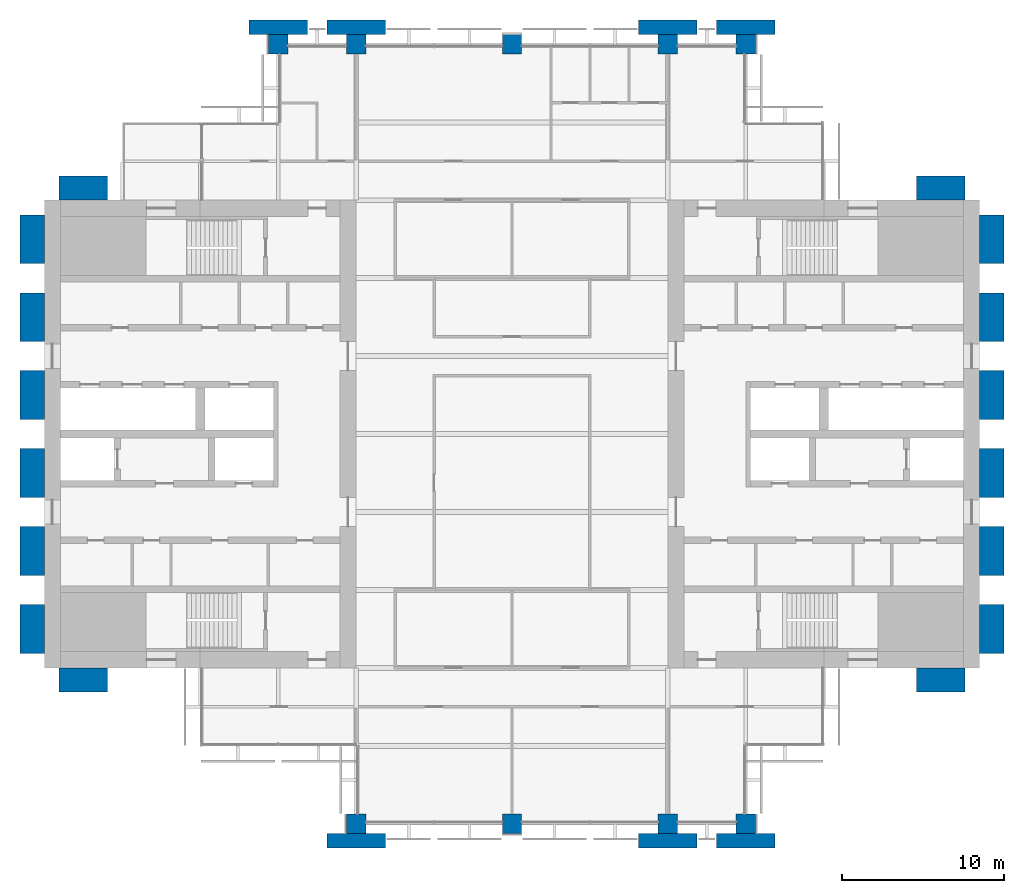
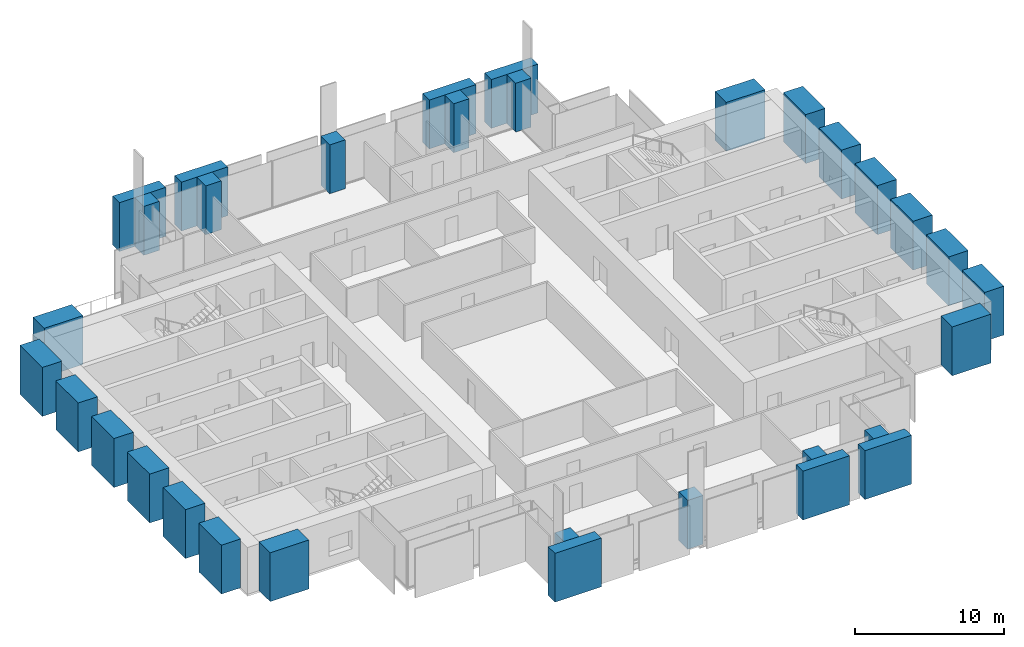
# One storey, part 1 of 14: 32 columns.
"""IFC4 building model written with IfcOpenShell, lengths in metres."""

from ifc_helpers import new_model, si_unit, direction, frame, origin, origin_2d, place, context, subcontext, project, spatial, rectangle, extrude, material, material_profile, profile_set, type_object, element, save


model = new_model("IFC4")

# Units and contexts
model_context = context("Model", 3, precision=1e-05, world=origin(), true_north=direction((0.0, 1.0)))
body_context = subcontext(model_context, "Body", "Model", "MODEL_VIEW")
ifc_project = project(units=[si_unit("LENGTHUNIT", "METRE"), si_unit("AREAUNIT", "SQUARE_METRE"), si_unit("VOLUMEUNIT", "CUBIC_METRE"), si_unit("PLANEANGLEUNIT", "RADIAN"), si_unit("MASSUNIT", "GRAM", prefix="KILO")], contexts=[model_context])

# Site, building, storey
site_placement = place(None, origin())
site = spatial("IfcSite", under=ifc_project, at=site_placement, CompositionType="ELEMENT")
building_placement = place(site_placement, origin())
building = spatial("IfcBuilding", under=site, at=building_placement, Name="Baori Bourse Tower", CompositionType="ELEMENT")
storey_placement = place(building_placement, frame((0.0, 0.0, 168.10009765625)))
storey = spatial("IfcBuildingStorey", under=building, at=storey_placement, Name="L37", CompositionType="ELEMENT", Elevation=168.10009765625)

# Columns
ifc_material_1 = material(Name="Concrete f'c 60 MPa", Category="concrete")
ifc_material_profile_1 = material_profile(ifc_material_1, rectangle(XDim=3.60009765625, YDim=0.89990234375, at=origin_2d()), Name="RC 3600x900")
ifc_profile_set_1 = profile_set([ifc_material_profile_1], Name="Concrete f'c 60 MPa")
column_type_1 = type_object("IfcColumnType", Name="FN3 Brick pilaster 3600x900", PredefinedType="PILASTER", material=ifc_profile_set_1)
for number, where, z_axis, x_axis, name in (
    (1, (19.199951171875, -1.050048828125, 0.0), (0.0, 0.0, 1.0), (1.0, 0.0, 0.0), "Brick pilaster L37 17"),
    (2, (38.39990234375, -1.050048828125, 0.0), (0.0, 0.0, 1.0), (1.0, 0.0, 0.0), "Brick pilaster L37 18"),
    (3, (43.199951171875, -1.050048828125, 0.0), (0.0, 0.0, 1.0), (1.0, 0.0, 0.0), "Brick pilaster L37 19"),
    (4, (14.39990234375, 49.050048828125, 0.0), (0.0, 0.0, 1.0), (1.0, 0.0, 0.0), "Brick pilaster L37 20"),
    (5, (19.199951171875, 49.050048828125, 0.0), (0.0, 0.0, 1.0), (1.0, 0.0, 0.0), "Brick pilaster L37 21"),
    (6, (38.39990234375, 49.050048828125, 0.0), (0.0, 0.0, 1.0), (1.0, 0.0, 0.0), "Brick pilaster L37 22"),
    (7, (43.199951171875, 49.050048828125, 0.0), (0.0, 0.0, 1.0), (1.0, 0.0, 0.0), "Brick pilaster L37 23"),
):
    element("IfcColumn", number, at=place(storey_placement, frame(where, z_axis=z_axis, x_axis=x_axis)), inside=storey, type_object=column_type_1, Name=name, PredefinedType="PILASTER", context=body_context, shape_type="SweptSolid", body=[
        extrude(rectangle(XDim=3.60009765625, YDim=0.89990234375, at=origin_2d()), origin(), (0.0, 0.0, 1.0), 4.0),
    ])
ifc_material_2 = material(Name="Concrete f'c 60 MPa", Category="concrete")
ifc_material_profile_2 = material_profile(ifc_material_2, rectangle(XDim=3.0, YDim=1.5, at=origin_2d()), Name="RC 3000x1500")
ifc_profile_set_2 = profile_set([ifc_material_profile_2], Name="Concrete f'c 60 MPa")
column_type_2 = type_object("IfcColumnType", Name="FN4 Brick flank pilaster 3000x1500", PredefinedType="PILASTER", material=ifc_profile_set_2)
for number, where, z_axis, x_axis, name in (
    (8, (55.199951171875, 8.85009765625, 0.0), (0.0, 0.0, 1.0), (1.0, 0.0, 0.0), "Brick pilaster L37 1"),
    (9, (58.35009765625, 12.0, 0.0), (0.0, 0.0, 1.0), (0.0, 1.0, 0.0), "Brick pilaster L37 2"),
    (10, (58.35009765625, 16.800048828125, 0.0), (0.0, 0.0, 1.0), (0.0, 1.0, 0.0), "Brick pilaster L37 3"),
    (11, (58.35009765625, 21.60009765625, 0.0), (0.0, 0.0, 1.0), (0.0, 1.0, 0.0), "Brick pilaster L37 4"),
    (12, (58.35009765625, 26.39990234375, 0.0), (0.0, 0.0, 1.0), (0.0, 1.0, 0.0), "Brick pilaster L37 5"),
    (13, (58.35009765625, 31.199951171875, 0.0), (0.0, 0.0, 1.0), (0.0, 1.0, 0.0), "Brick pilaster L37 6"),
    (14, (58.35009765625, 36.0, 0.0), (0.0, 0.0, 1.0), (0.0, 1.0, 0.0), "Brick pilaster L37 7"),
    (15, (55.199951171875, 39.14990234375, 0.0), (0.0, 0.0, 1.0), (1.0, 0.0, 0.0), "Brick pilaster L37 8"),
    (16, (2.39990234375, 39.14990234375, 0.0), (0.0, 0.0, 1.0), (1.0, 0.0, 0.0), "Brick pilaster L37 9"),
    (17, (-0.75, 12.0, 0.0), (0.0, 0.0, 1.0), (0.0, 1.0, 0.0), "Brick pilaster L37 10"),
    (18, (-0.75, 16.800048828125, 0.0), (0.0, 0.0, 1.0), (0.0, 1.0, 0.0), "Brick pilaster L37 11"),
    (19, (-0.75, 21.60009765625, 0.0), (0.0, 0.0, 1.0), (0.0, 1.0, 0.0), "Brick pilaster L37 12"),
    (20, (-0.75, 26.39990234375, 0.0), (0.0, 0.0, 1.0), (0.0, 1.0, 0.0), "Brick pilaster L37 13"),
    (21, (-0.75, 31.199951171875, 0.0), (0.0, 0.0, 1.0), (0.0, 1.0, 0.0), "Brick pilaster L37 14"),
    (22, (-0.75, 36.0, 0.0), (0.0, 0.0, 1.0), (0.0, 1.0, 0.0), "Brick pilaster L37 15"),
    (23, (2.39990234375, 8.85009765625, 0.0), (0.0, 0.0, 1.0), (1.0, 0.0, 0.0), "Brick pilaster L37 16"),
):
    element("IfcColumn", number, at=place(storey_placement, frame(where, z_axis=z_axis, x_axis=x_axis)), inside=storey, type_object=column_type_2, Name=name, PredefinedType="PILASTER", context=body_context, shape_type="SweptSolid", body=[
        extrude(rectangle(XDim=3.0, YDim=1.5, at=origin_2d()), origin(), (0.0, 0.0, 1.0), 4.0),
    ])
ifc_material_3 = material(Name="Concrete f'c 60 MPa", Category="concrete")
ifc_material_profile_3 = material_profile(ifc_material_3, rectangle(XDim=1.199951171875, YDim=1.199951171875, at=origin_2d()), Name="RC 1200x1200")
ifc_profile_set_3 = profile_set([ifc_material_profile_3], Name="Concrete f'c 60 MPa")
column_type_3 = type_object("IfcColumnType", Name="Perimeter column 60 RC 1200x1200", PredefinedType="COLUMN", material=ifc_profile_set_3)
for number, where, z_axis, x_axis, name in (
    (24, (19.199951171875, 0.0, 0.0), (0.0, 0.0, 1.0), (1.0, 0.0, 0.0), "Perimeter column L37"),
    (25, (28.800048828125, 0.0, 0.0), (0.0, 0.0, 1.0), (1.0, 0.0, 0.0), "Perimeter column L37"),
    (26, (38.39990234375, 0.0, 0.0), (0.0, 0.0, 1.0), (1.0, 0.0, 0.0), "Perimeter column L37"),
    (27, (43.199951171875, 0.0, 0.0), (0.0, 0.0, 1.0), (1.0, 0.0, 0.0), "Perimeter column L37"),
    (28, (14.39990234375, 48.0, 0.0), (0.0, 0.0, 1.0), (1.0, 0.0, 0.0), "Perimeter column L37"),
    (29, (19.199951171875, 48.0, 0.0), (0.0, 0.0, 1.0), (1.0, 0.0, 0.0), "Perimeter column L37"),
    (30, (28.800048828125, 48.0, 0.0), (0.0, 0.0, 1.0), (1.0, 0.0, 0.0), "Perimeter column L37"),
    (31, (38.39990234375, 48.0, 0.0), (0.0, 0.0, 1.0), (1.0, 0.0, 0.0), "Perimeter column L37"),
    (32, (43.199951171875, 48.0, 0.0), (0.0, 0.0, 1.0), (1.0, 0.0, 0.0), "Perimeter column L37"),
):
    element("IfcColumn", number, at=place(storey_placement, frame(where, z_axis=z_axis, x_axis=x_axis)), inside=storey, type_object=column_type_3, Name=name, PredefinedType="COLUMN", context=body_context, shape_type="SweptSolid", body=[
        extrude(rectangle(XDim=1.199951171875, YDim=1.199951171875, at=origin_2d()), origin(), (0.0, 0.0, 1.0), 4.0),
    ])

save(model, "model.ifc")
